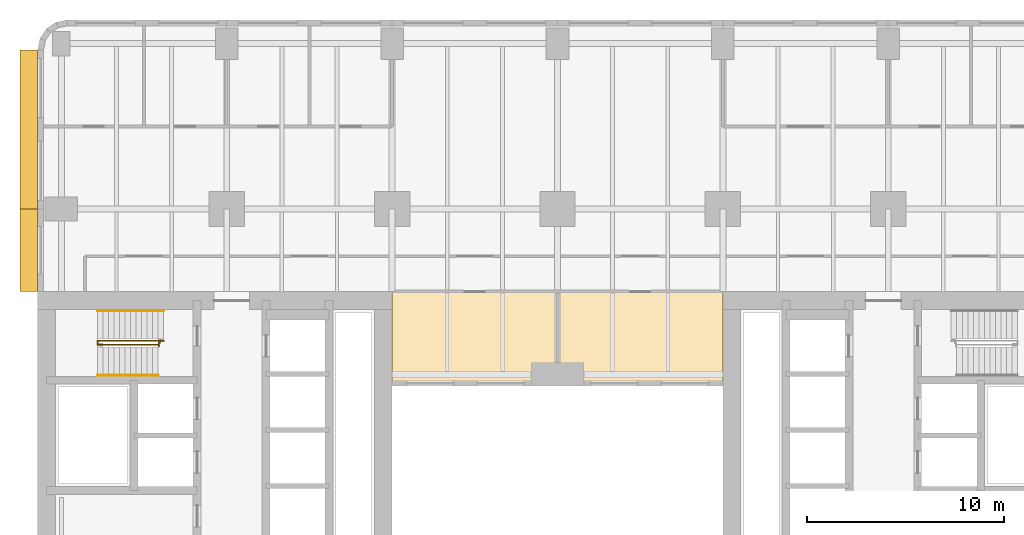
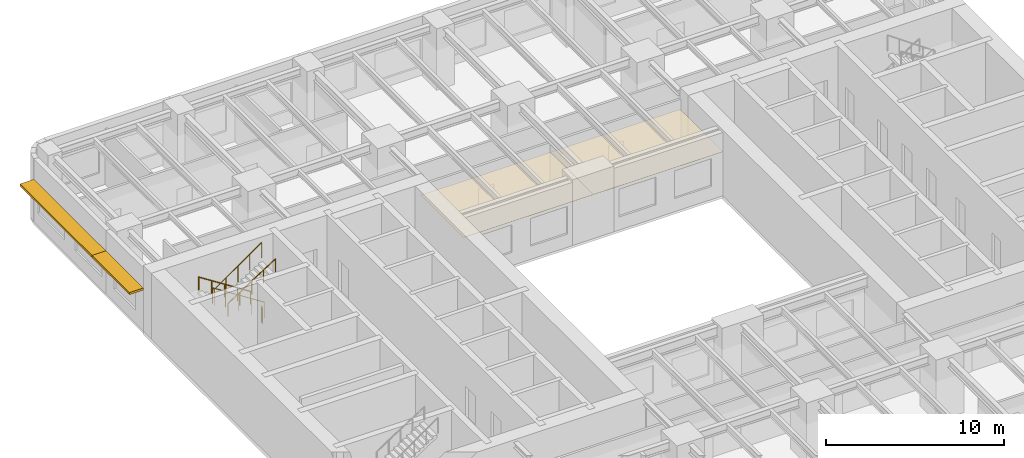
# One storey, part 12 of 14: 4 railings, 2 coverings, 2 shading devices.
"""IFC4 building model written with IfcOpenShell, lengths in metres."""

from ifc_helpers import new_model, si_unit, direction, frame, origin, origin_2d, place, context, subcontext, project, spatial, polyline, rectangle, circle, outline, extrude, material, layer, layer_set, type_object, element, save


model = new_model("IFC4")

# Units and contexts
model_context = context("Model", 3, precision=1e-05, world=origin(), true_north=direction((0.0, 1.0)))
body_context = subcontext(model_context, "Body", "Model", "MODEL_VIEW")
ifc_project = project(units=[si_unit("LENGTHUNIT", "METRE"), si_unit("AREAUNIT", "SQUARE_METRE"), si_unit("VOLUMEUNIT", "CUBIC_METRE"), si_unit("PLANEANGLEUNIT", "RADIAN"), si_unit("MASSUNIT", "GRAM", prefix="KILO")], contexts=[model_context])

# Site, building, storey
site_placement = place(None, origin())
site = spatial("IfcSite", under=ifc_project, at=site_placement, CompositionType="ELEMENT")
building_placement = place(site_placement, origin())
building = spatial("IfcBuilding", under=site, at=building_placement, Name="Claustro Exchange Tower", CompositionType="ELEMENT")
storey_placement = place(building_placement, frame((0.0, 0.0, 23.39990234375)))
storey = spatial("IfcBuildingStorey", under=building, at=storey_placement, Name="L05", CompositionType="ELEMENT", Elevation=23.39990234375)

# Coverings
ifc_material_1 = material(Name="Gypsum board ceiling", Category="gypsum board")
ifc_layer_1 = layer(ifc_material_1, 0.02490234375)
ifc_layer_set_1 = layer_set([ifc_layer_1], Name="Gypsum board ceiling")
covering_type = type_object("IfcCoveringType", Name="CL2 plasterboard ceiling", PredefinedType="CEILING", material=ifc_layer_set_1)
covering_1_placement = place(storey_placement, frame((0.0, 0.0, 3.0)))
element("IfcCovering", 1, at=covering_1_placement, inside=storey, type_object=covering_type, Name="Ceiling CL2 L05-10", PredefinedType="CEILING", context=body_context, shape_type="SweptSolid", body=[
    extrude(outline(polyline([(16.800048828125, 33.0), (25.199951171875, 33.0), (25.199951171875, 37.800048828125), (16.800048828125, 37.800048828125), (16.800048828125, 33.0)])), origin(), (0.0, 0.0, 1.0), 0.025146484375),
])
covering_2_placement = place(storey_placement, frame((0.0, 0.0, 3.0)))
element("IfcCovering", 2, at=covering_2_placement, inside=storey, type_object=covering_type, Name="Ceiling CL2 L05-11", PredefinedType="CEILING", context=body_context, shape_type="SweptSolid", body=[
    extrude(outline(polyline([(33.60009765625, 33.0), (33.60009765625, 37.800048828125), (25.199951171875, 37.800048828125), (25.199951171875, 33.0), (33.60009765625, 33.0)])), origin(), (0.0, 0.0, 1.0), 0.025146484375),
])

# Railings
ifc_material_2 = material(Name="Steel balustrade, painted", Category="steel")
railing_type_1 = type_object("IfcRailingType", Name="GR2 1100 steel stair guard", PredefinedType="GUARDRAIL", material=ifc_material_2)
railing_1_placement = place(storey_placement, frame((5.199951171875, 35.300048828125, 0.18017578125)))
element("IfcRailing", 3, at=railing_1_placement, inside=storey, type_object=railing_type_1, Name="Stair well guard GR2 stair STWB L05", PredefinedType="GUARDRAIL", context=body_context, shape_type="SweptSolid", body=[
    extrude(circle(Radius=0.02392578125, at=origin_2d()), frame((0.0, 0.0, 1.076171875), z_axis=(-0.841178475377, 0.0, 0.540757591313), x_axis=(0.0, -1.0, 0.0)), (0.0, 0.0, 1.0), 3.994140625),
    extrude(circle(Radius=0.02392578125, at=origin_2d()), frame((-3.35986328125, 0.0, 3.23583984375), z_axis=(0.0, -1.0, 0.0), x_axis=(1.0, 0.0, 0.0)), (0.0, 0.0, 1.0), 0.199951171875),
    extrude(circle(Radius=0.02392578125, at=origin_2d()), frame((-3.35986328125, -0.199951171875, 3.23583984375), z_axis=(0.818728512145, 0.0, 0.574180828137), x_axis=(0.0, 1.0, 0.0)), (0.0, 0.0, 1.0), 3.76171875),
    extrude(circle(Radius=0.02099609375, at=origin_2d()), origin(), (0.0, 0.0, 1.0), 1.052001953125),
    extrude(circle(Radius=0.02099609375, at=origin_2d()), frame((-0.83984375, 0.0, 0.5400390625)), (0.0, 0.0, 1.0), 1.052001953125),
    extrude(circle(Radius=0.02099609375, at=origin_2d()), frame((-1.679931640625, 0.0, 1.080078125)), (0.0, 0.0, 1.0), 1.052001953125),
    extrude(circle(Radius=0.02099609375, at=origin_2d()), frame((-2.52001953125, 0.0, 1.619873046875)), (0.0, 0.0, 1.0), 1.052001953125),
    extrude(circle(Radius=0.02099609375, at=origin_2d()), frame((-3.35986328125, 0.0, 2.159912109375)), (0.0, 0.0, 1.0), 1.052001953125),
    extrude(circle(Radius=0.02099609375, at=origin_2d()), frame((-3.35986328125, -0.199951171875, 2.159912109375)), (0.0, 0.0, 1.0), 1.052001953125),
    extrude(circle(Radius=0.02099609375, at=origin_2d()), frame((-2.58984375, -0.199951171875, 2.699951171875)), (0.0, 0.0, 1.0), 1.052001953125),
    extrude(circle(Radius=0.02099609375, at=origin_2d()), frame((-1.81982421875, -0.199951171875, 3.23974609375)), (0.0, 0.0, 1.0), 1.052001953125),
    extrude(circle(Radius=0.02099609375, at=origin_2d()), frame((-1.050048828125, -0.199951171875, 3.77978515625)), (0.0, 0.0, 1.0), 1.052001953125),
    extrude(circle(Radius=0.02099609375, at=origin_2d()), frame((-0.280029296875, -0.199951171875, 4.31982421875)), (0.0, 0.0, 1.0), 1.052001953125),
])
railing_2_placement = place(storey_placement, frame((5.0, 35.22998046875, 0.0)))
element("IfcRailing", 4, at=railing_2_placement, inside=storey, type_object=railing_type_1, Name="Stair guard GR2 STWB L05", PredefinedType="GUARDRAIL", context=body_context, shape_type="SweptSolid", body=[
    extrude(circle(Radius=0.02392578125, at=origin_2d()), frame((0.0, 0.0, 1.076171875), z_axis=(0.0, -1.0, 0.0), x_axis=(1.0, 0.0, 0.0)), (0.0, 0.0, 1.0), 0.030029296875),
    extrude(circle(Radius=0.02392578125, at=origin_2d()), frame((0.0, -0.030029296875, 1.076171875), z_axis=(-1.0, 0.0, 0.0), x_axis=(0.0, -1.0, 0.0)), (0.0, 0.0, 1.0), 0.054931640625),
    extrude(circle(Radius=0.02392578125, at=origin_2d()), frame((-0.054931640625, -0.030029296875, 1.076171875), z_axis=(0.0, -1.0, 0.0), x_axis=(1.0, 0.0, 0.0)), (0.0, 0.0, 1.0), 0.179931640625),
    extrude(circle(Radius=0.02099609375, at=origin_2d()), origin(), (0.0, 0.0, 1.0), 1.052001953125),
    extrude(circle(Radius=0.02099609375, at=origin_2d()), frame((0.0, -0.030029296875, 0.0)), (0.0, 0.0, 1.0), 1.052001953125),
    extrude(circle(Radius=0.02099609375, at=origin_2d()), frame((-0.054931640625, -0.030029296875, 0.0)), (0.0, 0.0, 1.0), 1.052001953125),
    extrude(circle(Radius=0.02099609375, at=origin_2d()), frame((-0.054931640625, -0.2099609375, 0.0)), (0.0, 0.0, 1.0), 1.052001953125),
])
ifc_material_3 = material(Name="Stainless steel tube", Category="steel")
railing_type_2 = type_object("IfcRailingType", Name="HR1 900 stair handrail", PredefinedType="HANDRAIL", material=ifc_material_3)
railing_3_placement = place(storey_placement, frame((5.199951171875, 36.840087890625, 0.18017578125)))
element("IfcRailing", 5, at=railing_3_placement, inside=storey, type_object=railing_type_2, Name="Handrail HR1 stair STWB L05", PredefinedType="HANDRAIL", context=body_context, shape_type="SweptSolid", body=[
    extrude(circle(Radius=0.02392578125, at=origin_2d()), frame((0.0, 0.0, 0.8759765625), z_axis=(-0.841178475377, 0.0, 0.540757591313), x_axis=(0.0, -1.0, 0.0)), (0.0, 0.0, 1.0), 3.994140625),
    extrude(circle(Radius=0.02099609375, at=origin_2d()), origin(), (0.0, 0.0, 1.0), 0.851806640625),
    extrude(circle(Radius=0.02099609375, at=origin_2d()), frame((-0.83984375, 0.0, 0.5400390625)), (0.0, 0.0, 1.0), 0.851806640625),
    extrude(circle(Radius=0.02099609375, at=origin_2d()), frame((-1.679931640625, 0.0, 1.080078125)), (0.0, 0.0, 1.0), 0.851806640625),
    extrude(circle(Radius=0.02099609375, at=origin_2d()), frame((-2.52001953125, 0.0, 1.619873046875)), (0.0, 0.0, 1.0), 0.851806640625),
    extrude(circle(Radius=0.02099609375, at=origin_2d()), frame((-3.35986328125, 0.0, 2.159912109375)), (0.0, 0.0, 1.0), 0.851806640625),
])
railing_4_placement = place(storey_placement, frame((1.840087890625, 33.56005859375, 2.52001953125)))
element("IfcRailing", 6, at=railing_4_placement, inside=storey, type_object=railing_type_2, Name="Handrail HR1 stair STWB L05", PredefinedType="HANDRAIL", context=body_context, shape_type="SweptSolid", body=[
    extrude(circle(Radius=0.02392578125, at=origin_2d()), frame((0.0, 0.0, 0.8759765625), z_axis=(0.841167642724, 0.0, 0.540774441735), x_axis=(0.0, 1.0, 0.0)), (0.0, 0.0, 1.0), 3.661376953125),
    extrude(circle(Radius=0.02099609375, at=origin_2d()), origin(), (0.0, 0.0, 1.0), 0.851806640625),
    extrude(circle(Radius=0.02099609375, at=origin_2d()), frame((0.77001953125, 0.0, 0.4951171875)), (0.0, 0.0, 1.0), 0.851806640625),
    extrude(circle(Radius=0.02099609375, at=origin_2d()), frame((1.5400390625, 0.0, 0.989990234375)), (0.0, 0.0, 1.0), 0.851806640625),
    extrude(circle(Radius=0.02099609375, at=origin_2d()), frame((2.309814453125, 0.0, 1.48486328125)), (0.0, 0.0, 1.0), 0.851806640625),
    extrude(circle(Radius=0.02099609375, at=origin_2d()), frame((3.079833984375, 0.0, 1.97998046875)), (0.0, 0.0, 1.0), 0.851806640625),
])

# Shading devices
ifc_material_4 = material(Name="Concrete HA-40 (C40/50), precast, white cement, acid-etched", Category="concrete")
ifc_layer_2 = layer(ifc_material_4, 0.14990234375)
ifc_layer_set_2 = layer_set([ifc_layer_2], Name="Concrete HA-40 (C40/50), precast, white cement, acid-etched")
shading_device_type = type_object("IfcShadingDeviceType", Name="SS2 900 precast concrete SUNSHADE", PredefinedType="SHUTTER", material=ifc_layer_set_2)
shading_device_1_placement = place(storey_placement, frame((-1.64990234375, 39.89990234375, 2.800048828125), z_axis=(0.0, 0.0, 1.0), x_axis=(0.0, 1.0, 0.0)))
element("IfcShadingDevice", 7, at=shading_device_1_placement, inside=storey, type_object=shading_device_type, Name="Precast SUNSHADE SS2 L05", PredefinedType="SHUTTER", context=body_context, shape_type="SweptSolid", body=[
    extrude(rectangle(XDim=4.199951171875, YDim=0.89990234375, at=origin_2d()), origin(), (0.0, 0.0, 1.0), 0.14990234375),
])
shading_device_2_placement = place(storey_placement, frame((-1.64990234375, 46.04248046875, 2.800048828125), z_axis=(0.0, 0.0, 1.0), x_axis=(0.0, 1.0, 0.0)))
element("IfcShadingDevice", 8, at=shading_device_2_placement, inside=storey, type_object=shading_device_type, Name="Precast SUNSHADE SS2 L05", PredefinedType="SHUTTER", context=body_context, shape_type="SweptSolid", body=[
    extrude(rectangle(XDim=8.085205078125, YDim=0.89990234375, at=origin_2d()), origin(), (0.0, 0.0, 1.0), 0.14990234375),
])

save(model, "model.ifc")
